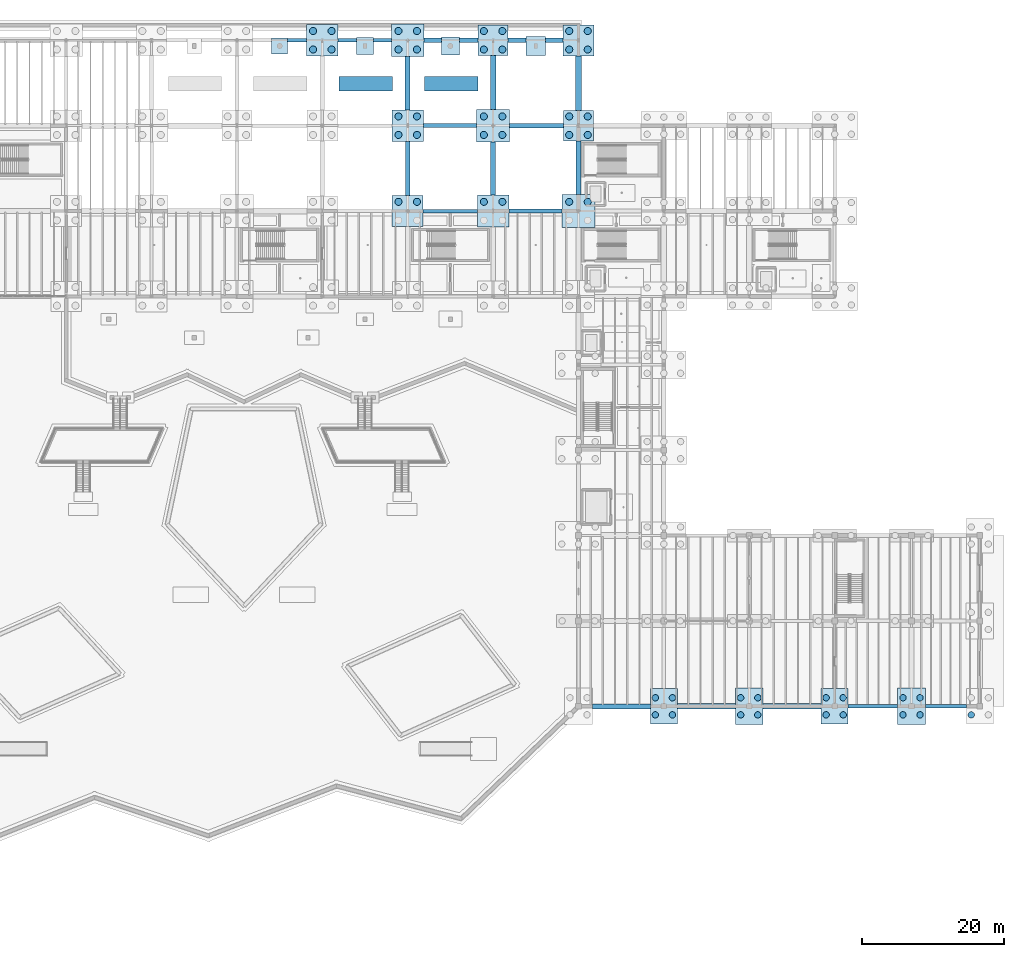
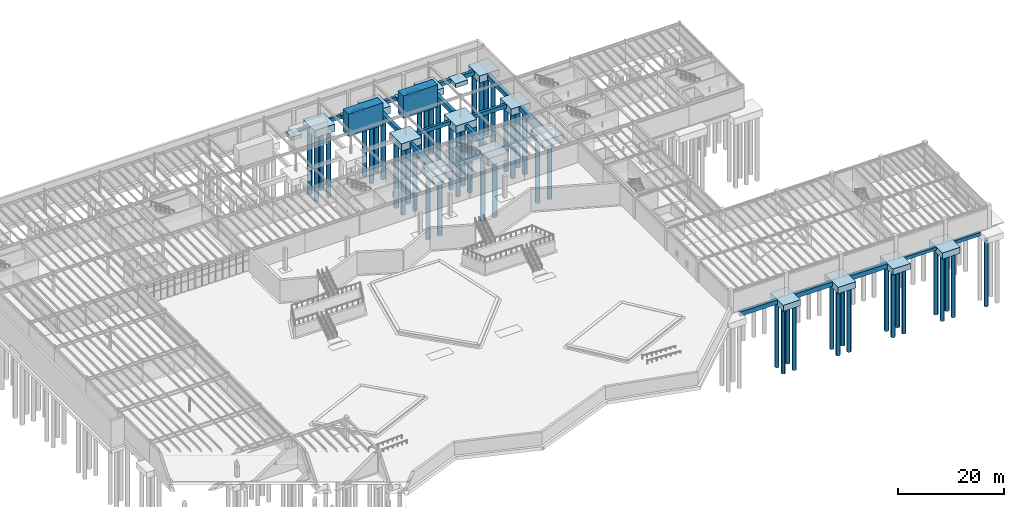
# One storey, part 7 of 67: 51 piles, 42 footings.
"""IFC4 building model written with IfcOpenShell, lengths in metres."""

from ifc_helpers import new_model, si_unit, direction, frame, origin, origin_2d, place, context, subcontext, project, spatial, polyline, rectangle, circle, outline, extrude, material, material_profile, profile_set, type_object, element, save


model = new_model("IFC4")

# Units and contexts
model_context = context("Model", 3, precision=1e-05, world=origin(), true_north=direction((0.0, 1.0)))
body_context = subcontext(model_context, "Body", "Model", "MODEL_VIEW")
ifc_project = project(units=[si_unit("LENGTHUNIT", "METRE"), si_unit("AREAUNIT", "SQUARE_METRE"), si_unit("VOLUMEUNIT", "CUBIC_METRE"), si_unit("PLANEANGLEUNIT", "RADIAN"), si_unit("MASSUNIT", "GRAM", prefix="KILO")], contexts=[model_context])

# Site, building, storey
site_placement = place(None, origin())
site = spatial("IfcSite", under=ifc_project, at=site_placement, CompositionType="ELEMENT")
building_placement = place(site_placement, origin())
building = spatial("IfcBuilding", under=site, at=building_placement, Name="Zlatogorsky Bluff Art Gallery", CompositionType="ELEMENT")
storey_placement = place(building_placement, frame((0.0, 0.0, -5.39990234375)))
storey = spatial("IfcBuildingStorey", under=building, at=storey_placement, Name="B1", CompositionType="ELEMENT", Elevation=-5.39990234375)

# Piles
ifc_material = material(Name="Concrete C35/45", Category="concrete")
ifc_material_profile_1 = material_profile(ifc_material, circle(Radius=0.5, at=origin_2d()), Name="BORED PILE D1000")
ifc_profile_set_1 = profile_set([ifc_material_profile_1], Name="Concrete C35/45")
pile_type_1 = type_object("IfcPileType", Name="Bored Pile D1000 C35/45", PredefinedType="BORED", material=ifc_profile_set_1)
for number, where, z_axis, x_axis, name in (
    (1, (82.699951171875, 118.699951171875, -1.550048828125), (0.0, 0.0, -1.0), (1.0, 0.0, 0.0), "Bored pile PL-02 07.11.1"),
    (2, (82.699951171875, 121.300048828125, -1.550048828125), (0.0, 0.0, -1.0), (1.0, 0.0, 0.0), "Bored pile PL-02 07.11.2"),
    (3, (85.300048828125, 118.699951171875, -1.550048828125), (0.0, 0.0, -1.0), (1.0, 0.0, 0.0), "Bored pile PL-02 07.11.3"),
    (4, (85.300048828125, 121.300048828125, -1.550048828125), (0.0, 0.0, -1.0), (1.0, 0.0, 0.0), "Bored pile PL-02 07.11.4"),
):
    element("IfcPile", number, at=place(storey_placement, frame(where, z_axis=z_axis, x_axis=x_axis)), inside=storey, type_object=pile_type_1, Name=name, PredefinedType="BORED", context=body_context, shape_type="SweptSolid", body=[
        extrude(circle(Radius=0.5, at=origin_2d()), origin(), (0.0, 0.0, 1.0), 15.449951171875),
    ])
for number, where, z_axis, x_axis, name in (
    (5, (94.699951171875, 97.300048828125, -1.900146484375), (0.0, 0.0, -1.0), (1.0, 0.0, 0.0), "Bored pile PL-02 08.09.2"),
    (6, (97.300048828125, 97.300048828125, -1.900146484375), (0.0, 0.0, -1.0), (1.0, 0.0, 0.0), "Bored pile PL-02 08.09.4"),
):
    element("IfcPile", number, at=place(storey_placement, frame(where, z_axis=z_axis, x_axis=x_axis)), inside=storey, type_object=pile_type_1, Name=name, PredefinedType="BORED", context=body_context, shape_type="SweptSolid", body=[
        extrude(circle(Radius=0.5, at=origin_2d()), origin(), (0.0, 0.0, 1.0), 15.10009765625),
    ])
for number, where, z_axis, x_axis, name in (
    (7, (94.699951171875, 106.699951171875, -1.550048828125), (0.0, 0.0, -1.0), (1.0, 0.0, 0.0), "Bored pile PL-02 08.10.1"),
    (8, (94.699951171875, 109.300048828125, -1.550048828125), (0.0, 0.0, -1.0), (1.0, 0.0, 0.0), "Bored pile PL-02 08.10.2"),
    (9, (97.300048828125, 106.699951171875, -1.550048828125), (0.0, 0.0, -1.0), (1.0, 0.0, 0.0), "Bored pile PL-02 08.10.3"),
    (10, (97.300048828125, 109.300048828125, -1.550048828125), (0.0, 0.0, -1.0), (1.0, 0.0, 0.0), "Bored pile PL-02 08.10.4"),
):
    element("IfcPile", number, at=place(storey_placement, frame(where, z_axis=z_axis, x_axis=x_axis)), inside=storey, type_object=pile_type_1, Name=name, PredefinedType="BORED", context=body_context, shape_type="SweptSolid", body=[
        extrude(circle(Radius=0.5, at=origin_2d()), origin(), (0.0, 0.0, 1.0), 15.449951171875),
    ])
for number, where, z_axis, x_axis, name in (
    (11, (94.699951171875, 118.699951171875, -1.60009765625), (0.0, 0.0, -1.0), (1.0, 0.0, 0.0), "Bored pile PL-02 08.11.1"),
    (12, (94.699951171875, 121.300048828125, -1.60009765625), (0.0, 0.0, -1.0), (1.0, 0.0, 0.0), "Bored pile PL-02 08.11.2"),
    (13, (97.300048828125, 118.699951171875, -1.60009765625), (0.0, 0.0, -1.0), (1.0, 0.0, 0.0), "Bored pile PL-02 08.11.3"),
    (14, (97.300048828125, 121.300048828125, -1.60009765625), (0.0, 0.0, -1.0), (1.0, 0.0, 0.0), "Bored pile PL-02 08.11.4"),
):
    element("IfcPile", number, at=place(storey_placement, frame(where, z_axis=z_axis, x_axis=x_axis)), inside=storey, type_object=pile_type_1, Name=name, PredefinedType="BORED", context=body_context, shape_type="SweptSolid", body=[
        extrude(circle(Radius=0.5, at=origin_2d()), origin(), (0.0, 0.0, 1.0), 15.39990234375),
    ])
for number, where, z_axis, x_axis, name in (
    (15, (106.699951171875, 97.300048828125, -1.9501953125), (0.0, 0.0, -1.0), (1.0, 0.0, 0.0), "Bored pile PL-02 09.09.2"),
    (16, (109.300048828125, 97.300048828125, -1.9501953125), (0.0, 0.0, -1.0), (1.0, 0.0, 0.0), "Bored pile PL-02 09.09.4"),
):
    element("IfcPile", number, at=place(storey_placement, frame(where, z_axis=z_axis, x_axis=x_axis)), inside=storey, type_object=pile_type_1, Name=name, PredefinedType="BORED", context=body_context, shape_type="SweptSolid", body=[
        extrude(circle(Radius=0.5, at=origin_2d()), origin(), (0.0, 0.0, 1.0), 15.050048828125),
    ])
for number, where, z_axis, x_axis, name in (
    (17, (106.699951171875, 106.699951171875, -1.60009765625), (0.0, 0.0, -1.0), (1.0, 0.0, 0.0), "Bored pile PL-02 09.10.1"),
    (18, (106.699951171875, 109.300048828125, -1.60009765625), (0.0, 0.0, -1.0), (1.0, 0.0, 0.0), "Bored pile PL-02 09.10.2"),
    (19, (109.300048828125, 106.699951171875, -1.60009765625), (0.0, 0.0, -1.0), (1.0, 0.0, 0.0), "Bored pile PL-02 09.10.3"),
    (20, (109.300048828125, 109.300048828125, -1.60009765625), (0.0, 0.0, -1.0), (1.0, 0.0, 0.0), "Bored pile PL-02 09.10.4"),
):
    element("IfcPile", number, at=place(storey_placement, frame(where, z_axis=z_axis, x_axis=x_axis)), inside=storey, type_object=pile_type_1, Name=name, PredefinedType="BORED", context=body_context, shape_type="SweptSolid", body=[
        extrude(circle(Radius=0.5, at=origin_2d()), origin(), (0.0, 0.0, 1.0), 15.39990234375),
    ])
for number, where, z_axis, x_axis, name in (
    (21, (106.699951171875, 118.699951171875, -1.4501953125), (0.0, 0.0, -1.0), (1.0, 0.0, 0.0), "Bored pile PL-02 09.11.1"),
    (22, (106.699951171875, 121.300048828125, -1.4501953125), (0.0, 0.0, -1.0), (1.0, 0.0, 0.0), "Bored pile PL-02 09.11.2"),
    (23, (109.300048828125, 118.699951171875, -1.4501953125), (0.0, 0.0, -1.0), (1.0, 0.0, 0.0), "Bored pile PL-02 09.11.3"),
    (24, (109.300048828125, 121.300048828125, -1.4501953125), (0.0, 0.0, -1.0), (1.0, 0.0, 0.0), "Bored pile PL-02 09.11.4"),
):
    element("IfcPile", number, at=place(storey_placement, frame(where, z_axis=z_axis, x_axis=x_axis)), inside=storey, type_object=pile_type_1, Name=name, PredefinedType="BORED", context=body_context, shape_type="SweptSolid", body=[
        extrude(circle(Radius=0.5, at=origin_2d()), origin(), (0.0, 0.0, 1.0), 15.550048828125),
    ])
for number, where, z_axis, x_axis, name in (
    (25, (118.699951171875, 97.300048828125, -2.0), (0.0, 0.0, -1.0), (1.0, 0.0, 0.0), "Bored pile PL-02 10.09.2"),
    (26, (121.300048828125, 97.300048828125, -2.0), (0.0, 0.0, -1.0), (1.0, 0.0, 0.0), "Bored pile PL-02 10.09.4"),
):
    element("IfcPile", number, at=place(storey_placement, frame(where, z_axis=z_axis, x_axis=x_axis)), inside=storey, type_object=pile_type_1, Name=name, PredefinedType="BORED", context=body_context, shape_type="SweptSolid", body=[
        extrude(circle(Radius=0.5, at=origin_2d()), origin(), (0.0, 0.0, 1.0), 15.0),
    ])
for number, where, z_axis, x_axis, name in (
    (27, (118.699951171875, 106.699951171875, -1.85009765625), (0.0, 0.0, -1.0), (1.0, 0.0, 0.0), "Bored pile PL-02 10.10.1"),
    (28, (118.699951171875, 109.300048828125, -1.85009765625), (0.0, 0.0, -1.0), (1.0, 0.0, 0.0), "Bored pile PL-02 10.10.2"),
    (29, (121.300048828125, 106.699951171875, -1.85009765625), (0.0, 0.0, -1.0), (1.0, 0.0, 0.0), "Bored pile PL-02 10.10.3"),
    (30, (121.300048828125, 109.300048828125, -1.85009765625), (0.0, 0.0, -1.0), (1.0, 0.0, 0.0), "Bored pile PL-02 10.10.4"),
):
    element("IfcPile", number, at=place(storey_placement, frame(where, z_axis=z_axis, x_axis=x_axis)), inside=storey, type_object=pile_type_1, Name=name, PredefinedType="BORED", context=body_context, shape_type="SweptSolid", body=[
        extrude(circle(Radius=0.5, at=origin_2d()), origin(), (0.0, 0.0, 1.0), 15.14990234375),
    ])
for number, where, z_axis, x_axis, name in (
    (31, (118.699951171875, 118.699951171875, -1.5), (0.0, 0.0, -1.0), (1.0, 0.0, 0.0), "Bored pile PL-02 10.11.1"),
    (32, (118.699951171875, 121.300048828125, -1.5), (0.0, 0.0, -1.0), (1.0, 0.0, 0.0), "Bored pile PL-02 10.11.2"),
    (33, (121.300048828125, 118.699951171875, -1.5), (0.0, 0.0, -1.0), (1.0, 0.0, 0.0), "Bored pile PL-02 10.11.3"),
    (34, (121.300048828125, 121.300048828125, -1.5), (0.0, 0.0, -1.0), (1.0, 0.0, 0.0), "Bored pile PL-02 10.11.4"),
):
    element("IfcPile", number, at=place(storey_placement, frame(where, z_axis=z_axis, x_axis=x_axis)), inside=storey, type_object=pile_type_1, Name=name, PredefinedType="BORED", context=body_context, shape_type="SweptSolid", body=[
        extrude(circle(Radius=0.5, at=origin_2d()), origin(), (0.0, 0.0, 1.0), 15.5),
    ])
ifc_material_profile_2 = material_profile(ifc_material, circle(Radius=0.449951171875, at=origin_2d()), Name="BORED PILE D900")
ifc_profile_set_2 = profile_set([ifc_material_profile_2], Name="Concrete C35/45")
pile_type_2 = type_object("IfcPileType", Name="Bored Pile D900 C35/45", PredefinedType="BORED", material=ifc_profile_set_2)
for number, where, z_axis, x_axis, name in (
    (35, (130.800048828125, 25.199951171875, -1.68017578125), (0.0, 0.0, -1.0), (1.0, 0.0, 0.0), "Bored pile PL-01 11.03.1"),
    (36, (130.800048828125, 27.60009765625, -1.68017578125), (0.0, 0.0, -1.0), (1.0, 0.0, 0.0), "Bored pile PL-01 11.03.2"),
    (37, (133.199951171875, 25.199951171875, -1.68017578125), (0.0, 0.0, -1.0), (1.0, 0.0, 0.0), "Bored pile PL-01 11.03.3"),
    (38, (133.199951171875, 27.60009765625, -1.68017578125), (0.0, 0.0, -1.0), (1.0, 0.0, 0.0), "Bored pile PL-01 11.03.4"),
):
    element("IfcPile", number, at=place(storey_placement, frame(where, z_axis=z_axis, x_axis=x_axis)), inside=storey, type_object=pile_type_2, Name=name, PredefinedType="BORED", context=body_context, shape_type="SweptSolid", body=[
        extrude(circle(Radius=0.449951171875, at=origin_2d()), origin(), (0.0, 0.0, 1.0), 15.320068359375),
    ])
for number, where, z_axis, x_axis, name in (
    (39, (142.800048828125, 25.199951171875, -1.739990234375), (0.0, 0.0, -1.0), (1.0, 0.0, 0.0), "Bored pile PL-01 12.03.1"),
    (40, (142.800048828125, 27.60009765625, -1.739990234375), (0.0, 0.0, -1.0), (1.0, 0.0, 0.0), "Bored pile PL-01 12.03.2"),
    (41, (145.199951171875, 25.199951171875, -1.739990234375), (0.0, 0.0, -1.0), (1.0, 0.0, 0.0), "Bored pile PL-01 12.03.3"),
    (42, (145.199951171875, 27.60009765625, -1.739990234375), (0.0, 0.0, -1.0), (1.0, 0.0, 0.0), "Bored pile PL-01 12.03.4"),
):
    element("IfcPile", number, at=place(storey_placement, frame(where, z_axis=z_axis, x_axis=x_axis)), inside=storey, type_object=pile_type_2, Name=name, PredefinedType="BORED", context=body_context, shape_type="SweptSolid", body=[
        extrude(circle(Radius=0.449951171875, at=origin_2d()), origin(), (0.0, 0.0, 1.0), 15.260009765625),
    ])
for number, where, z_axis, x_axis, name in (
    (43, (154.800048828125, 25.199951171875, -1.68017578125), (0.0, 0.0, -1.0), (1.0, 0.0, 0.0), "Bored pile PL-01 13.03.1"),
    (44, (154.800048828125, 27.60009765625, -1.68017578125), (0.0, 0.0, -1.0), (1.0, 0.0, 0.0), "Bored pile PL-01 13.03.2"),
    (45, (157.199951171875, 25.199951171875, -1.68017578125), (0.0, 0.0, -1.0), (1.0, 0.0, 0.0), "Bored pile PL-01 13.03.3"),
    (46, (157.199951171875, 27.60009765625, -1.68017578125), (0.0, 0.0, -1.0), (1.0, 0.0, 0.0), "Bored pile PL-01 13.03.4"),
):
    element("IfcPile", number, at=place(storey_placement, frame(where, z_axis=z_axis, x_axis=x_axis)), inside=storey, type_object=pile_type_2, Name=name, PredefinedType="BORED", context=body_context, shape_type="SweptSolid", body=[
        extrude(circle(Radius=0.449951171875, at=origin_2d()), origin(), (0.0, 0.0, 1.0), 15.320068359375),
    ])
for number, where, z_axis, x_axis, name in (
    (47, (165.60009765625, 25.199951171875, -1.739990234375), (0.0, 0.0, -1.0), (1.0, 0.0, 0.0), "Bored pile PL-01 14.03.1"),
    (48, (165.60009765625, 27.60009765625, -1.739990234375), (0.0, 0.0, -1.0), (1.0, 0.0, 0.0), "Bored pile PL-01 14.03.2"),
    (49, (168.0, 25.199951171875, -1.739990234375), (0.0, 0.0, -1.0), (1.0, 0.0, 0.0), "Bored pile PL-01 14.03.3"),
    (50, (168.0, 27.60009765625, -1.739990234375), (0.0, 0.0, -1.0), (1.0, 0.0, 0.0), "Bored pile PL-01 14.03.4"),
):
    element("IfcPile", number, at=place(storey_placement, frame(where, z_axis=z_axis, x_axis=x_axis)), inside=storey, type_object=pile_type_2, Name=name, PredefinedType="BORED", context=body_context, shape_type="SweptSolid", body=[
        extrude(circle(Radius=0.449951171875, at=origin_2d()), origin(), (0.0, 0.0, 1.0), 15.260009765625),
    ])
pile_placement = place(storey_placement, frame((175.199951171875, 25.199951171875, -1.68017578125), z_axis=(0.0, 0.0, -1.0), x_axis=(1.0, 0.0, 0.0)))
element("IfcPile", 51, at=pile_placement, inside=storey, type_object=pile_type_2, Name="Bored pile PL-01 15.03.1", PredefinedType="BORED", context=body_context, shape_type="SweptSolid", body=[
    extrude(circle(Radius=0.449951171875, at=origin_2d()), origin(), (0.0, 0.0, 1.0), 15.320068359375),
])

# Footings
footing_type_1 = type_object("IfcFootingType", Name="Foundation FB-01 450x750", PredefinedType="FOOTING_BEAM", material=ifc_material)
footing_1_placement = place(storey_placement, frame((0.0, 0.0, -1.150146484375)))
element("IfcFooting", 52, at=footing_1_placement, inside=storey, type_object=footing_type_1, Name="Ground tie beam FB-01 P-Q/4", PredefinedType="FOOTING_BEAM", context=body_context, shape_type="SweptSolid", body=[
    extrude(outline(polyline([(157.89990234375, 26.175048828125), (164.85009765625, 26.175048828125), (164.85009765625, 26.625), (157.89990234375, 26.625), (157.89990234375, 26.175048828125)])), origin(), (0.0, 0.0, 1.0), 0.75),
])
footing_type_2 = type_object("IfcFootingType", Name="Foundation FB-02 500x800", PredefinedType="FOOTING_BEAM", material=ifc_material)
footing_2_placement = place(storey_placement, frame((0.0, 0.0, -0.800048828125)))
element("IfcFooting", 53, at=footing_2_placement, inside=storey, type_object=footing_type_2, Name="Ground tie beam FB-02 G-H/12-2", PredefinedType="FOOTING_BEAM", context=body_context, shape_type="SweptSolid", body=[
    extrude(outline(polyline([(79.12548828125, 119.75), (81.77490234375, 119.75), (81.77490234375, 120.25), (79.12548828125, 120.25), (79.12548828125, 119.75)])), origin(), (0.0, 0.0, 1.0), 0.800048828125),
])
footing_3_placement = place(storey_placement, frame((0.0, 0.0, -1.2001953125)))
element("IfcFooting", 54, at=footing_3_placement, inside=storey, type_object=footing_type_2, Name="Ground tie beam FB-02 J-K/10", PredefinedType="FOOTING_BEAM", context=body_context, shape_type="SweptSolid", body=[
    extrude(outline(polyline([(98.175048828125, 95.75), (105.77490234375, 95.75), (105.77490234375, 96.25), (98.175048828125, 96.25), (98.175048828125, 95.75)])), origin(), (0.0, 0.0, 1.0), 0.800048828125),
])
footing_4_placement = place(storey_placement, frame((0.0, 0.0, -1.2001953125)))
element("IfcFooting", 55, at=footing_4_placement, inside=storey, type_object=footing_type_2, Name="Ground tie beam FB-02 Q-R/4", PredefinedType="FOOTING_BEAM", context=body_context, shape_type="SweptSolid", body=[
    extrude(outline(polyline([(168.75, 26.14990234375), (174.5, 26.14990234375), (174.5, 26.64990234375), (168.75, 26.64990234375), (168.75, 26.14990234375)])), origin(), (0.0, 0.0, 1.0), 0.800048828125),
])
footing_type_3 = type_object("IfcFootingType", Name="Foundation FB-03 550x850", PredefinedType="FOOTING_BEAM", material=ifc_material)
footing_5_placement = place(storey_placement, frame((0.0, 0.0, -0.85009765625)))
element("IfcFooting", 56, at=footing_5_placement, inside=storey, type_object=footing_type_3, Name="Ground tie beam FB-03 H-J/12-1", PredefinedType="FOOTING_BEAM", context=body_context, shape_type="SweptSolid", body=[
    extrude(outline(polyline([(86.22509765625, 119.72509765625), (88.799560546875, 119.72509765625), (88.799560546875, 120.27490234375), (86.22509765625, 120.27490234375), (86.22509765625, 119.72509765625)])), origin(), (0.0, 0.0, 1.0), 0.85009765625),
])
footing_6_placement = place(storey_placement, frame((0.0, 0.0, -0.85009765625)))
element("IfcFooting", 57, at=footing_6_placement, inside=storey, type_object=footing_type_3, Name="Ground tie beam FB-03 H-J/12-2", PredefinedType="FOOTING_BEAM", context=body_context, shape_type="SweptSolid", body=[
    extrude(outline(polyline([(91.200439453125, 119.72509765625), (93.699951171875, 119.72509765625), (93.699951171875, 120.27490234375), (91.200439453125, 120.27490234375), (91.200439453125, 119.72509765625)])), origin(), (0.0, 0.0, 1.0), 0.85009765625),
])
footing_7_placement = place(storey_placement, frame((0.0, 0.0, -0.85009765625)))
element("IfcFooting", 58, at=footing_7_placement, inside=storey, type_object=footing_type_3, Name="Ground tie beam FB-03 J-K/11", PredefinedType="FOOTING_BEAM", context=body_context, shape_type="SweptSolid", body=[
    extrude(outline(polyline([(98.22509765625, 107.72509765625), (105.699951171875, 107.72509765625), (105.699951171875, 108.27490234375), (98.22509765625, 108.27490234375), (98.22509765625, 107.72509765625)])), origin(), (0.0, 0.0, 1.0), 0.85009765625),
])
footing_8_placement = place(storey_placement, frame((0.0, 0.0, -1.25)))
element("IfcFooting", 59, at=footing_8_placement, inside=storey, type_object=footing_type_3, Name="Ground tie beam FB-03 K-L/10", PredefinedType="FOOTING_BEAM", context=body_context, shape_type="SweptSolid", body=[
    extrude(outline(polyline([(110.22509765625, 95.72509765625), (117.699951171875, 95.72509765625), (117.699951171875, 96.27490234375), (110.22509765625, 96.27490234375), (110.22509765625, 95.72509765625)])), origin(), (0.0, 0.0, 1.0), 0.849853515625),
])
footing_type_4 = type_object("IfcFootingType", Name="Foundation FB-04 600x900", PredefinedType="FOOTING_BEAM", material=ifc_material)
footing_9_placement = place(storey_placement, frame((0.0, 0.0, -0.900146484375)))
element("IfcFooting", 60, at=footing_9_placement, inside=storey, type_object=footing_type_4, Name="Ground tie beam FB-04 J-K/12-1", PredefinedType="FOOTING_BEAM", context=body_context, shape_type="SweptSolid", body=[
    extrude(outline(polyline([(98.300048828125, 119.699951171875), (100.724609375, 119.699951171875), (100.724609375, 120.300048828125), (98.300048828125, 120.300048828125), (98.300048828125, 119.699951171875)])), origin(), (0.0, 0.0, 1.0), 0.900146484375),
])
footing_10_placement = place(storey_placement, frame((0.0, 0.0, -0.900146484375)))
element("IfcFooting", 61, at=footing_10_placement, inside=storey, type_object=footing_type_4, Name="Ground tie beam FB-04 J-K/12-2", PredefinedType="FOOTING_BEAM", context=body_context, shape_type="SweptSolid", body=[
    extrude(outline(polyline([(103.275390625, 119.699951171875), (105.875, 119.699951171875), (105.875, 120.300048828125), (103.275390625, 120.300048828125), (103.275390625, 119.699951171875)])), origin(), (0.0, 0.0, 1.0), 0.900146484375),
])
footing_11_placement = place(storey_placement, frame((0.0, 0.0, -1.300048828125)))
element("IfcFooting", 62, at=footing_11_placement, inside=storey, type_object=footing_type_4, Name="Ground tie beam FB-04 K-L/11", PredefinedType="FOOTING_BEAM", context=body_context, shape_type="SweptSolid", body=[
    extrude(outline(polyline([(110.300048828125, 107.699951171875), (117.875, 107.699951171875), (117.875, 108.300048828125), (110.300048828125, 108.300048828125), (110.300048828125, 107.699951171875)])), origin(), (0.0, 0.0, 1.0), 0.89990234375),
])
footing_type_5 = type_object("IfcFootingType", Name="Foundation FB-05 650x950", PredefinedType="FOOTING_BEAM", material=ifc_material)
footing_12_placement = place(storey_placement, frame((0.0, 0.0, -1.35009765625)))
element("IfcFooting", 63, at=footing_12_placement, inside=storey, type_object=footing_type_5, Name="Ground tie beam FB-05 J/10-11", PredefinedType="FOOTING_BEAM", context=body_context, shape_type="SweptSolid", body=[
    extrude(outline(polyline([(95.675048828125, 98.175048828125), (96.324951171875, 98.175048828125), (96.324951171875, 105.77490234375), (95.675048828125, 105.77490234375), (95.675048828125, 98.175048828125)])), origin(), (0.0, 0.0, 1.0), 0.949951171875),
])
footing_13_placement = place(storey_placement, frame((0.0, 0.0, -0.9501953125)))
element("IfcFooting", 64, at=footing_13_placement, inside=storey, type_object=footing_type_5, Name="Ground tie beam FB-05 K-L/12-1", PredefinedType="FOOTING_BEAM", context=body_context, shape_type="SweptSolid", body=[
    extrude(outline(polyline([(110.125, 119.675048828125), (112.649658203125, 119.675048828125), (112.649658203125, 120.324951171875), (110.125, 120.324951171875), (110.125, 119.675048828125)])), origin(), (0.0, 0.0, 1.0), 0.9501953125),
])
footing_14_placement = place(storey_placement, frame((0.0, 0.0, -0.9501953125)))
element("IfcFooting", 65, at=footing_14_placement, inside=storey, type_object=footing_type_5, Name="Ground tie beam FB-05 K-L/12-2", PredefinedType="FOOTING_BEAM", context=body_context, shape_type="SweptSolid", body=[
    extrude(outline(polyline([(115.350341796875, 119.675048828125), (117.824951171875, 119.675048828125), (117.824951171875, 120.324951171875), (115.350341796875, 120.324951171875), (115.350341796875, 119.675048828125)])), origin(), (0.0, 0.0, 1.0), 0.9501953125),
])
footing_type_6 = type_object("IfcFootingType", Name="Foundation FB-06 700x1000", PredefinedType="FOOTING_BEAM", material=ifc_material)
footing_15_placement = place(storey_placement, frame((0.0, 0.0, -1.0)))
element("IfcFooting", 66, at=footing_15_placement, inside=storey, type_object=footing_type_6, Name="Ground tie beam FB-06 J/11-12", PredefinedType="FOOTING_BEAM", context=body_context, shape_type="SweptSolid", body=[
    extrude(outline(polyline([(95.64990234375, 110.22509765625), (96.35009765625, 110.22509765625), (96.35009765625, 117.699951171875), (95.64990234375, 117.699951171875), (95.64990234375, 110.22509765625)])), origin(), (0.0, 0.0, 1.0), 1.0),
])
footing_16_placement = place(storey_placement, frame((0.0, 0.0, -1.400146484375)))
element("IfcFooting", 67, at=footing_16_placement, inside=storey, type_object=footing_type_6, Name="Ground tie beam FB-06 K/10-11", PredefinedType="FOOTING_BEAM", context=body_context, shape_type="SweptSolid", body=[
    extrude(outline(polyline([(107.64990234375, 98.22509765625), (108.35009765625, 98.22509765625), (108.35009765625, 105.699951171875), (107.64990234375, 105.699951171875), (107.64990234375, 98.22509765625)])), origin(), (0.0, 0.0, 1.0), 1.0),
])
footing_17_placement = place(storey_placement, frame((0.0, 0.0, -1.400146484375)))
element("IfcFooting", 68, at=footing_17_placement, inside=storey, type_object=footing_type_6, Name="Ground tie beam FB-06 L-M/4", PredefinedType="FOOTING_BEAM", context=body_context, shape_type="SweptSolid", body=[
    extrude(outline(polyline([(121.949951171875, 26.050048828125), (130.10009765625, 26.050048828125), (130.10009765625, 26.75), (121.949951171875, 26.75), (121.949951171875, 26.050048828125)])), origin(), (0.0, 0.0, 1.0), 1.0),
])
footing_type_7 = type_object("IfcFootingType", Name="Foundation FB-07 750x1050", PredefinedType="FOOTING_BEAM", material=ifc_material)
footing_18_placement = place(storey_placement, frame((0.0, 0.0, -1.050048828125)))
element("IfcFooting", 69, at=footing_18_placement, inside=storey, type_object=footing_type_7, Name="Ground tie beam FB-07 K/11-12", PredefinedType="FOOTING_BEAM", context=body_context, shape_type="SweptSolid", body=[
    extrude(outline(polyline([(107.625, 110.300048828125), (108.375, 110.300048828125), (108.375, 117.875), (107.625, 117.875), (107.625, 110.300048828125)])), origin(), (0.0, 0.0, 1.0), 1.050048828125),
])
footing_19_placement = place(storey_placement, frame((0.0, 0.0, -1.4501953125)))
element("IfcFooting", 70, at=footing_19_placement, inside=storey, type_object=footing_type_7, Name="Ground tie beam FB-07 L/10-11", PredefinedType="FOOTING_BEAM", context=body_context, shape_type="SweptSolid", body=[
    extrude(outline(polyline([(119.625, 98.300048828125), (120.375, 98.300048828125), (120.375, 105.875), (119.625, 105.875), (119.625, 98.300048828125)])), origin(), (0.0, 0.0, 1.0), 1.050048828125),
])
footing_20_placement = place(storey_placement, frame((0.0, 0.0, -1.4501953125)))
element("IfcFooting", 71, at=footing_20_placement, inside=storey, type_object=footing_type_7, Name="Ground tie beam FB-07 M-N/4", PredefinedType="FOOTING_BEAM", context=body_context, shape_type="SweptSolid", body=[
    extrude(outline(polyline([(133.89990234375, 26.02490234375), (142.050048828125, 26.02490234375), (142.050048828125, 26.77490234375), (133.89990234375, 26.77490234375), (133.89990234375, 26.02490234375)])), origin(), (0.0, 0.0, 1.0), 1.050048828125),
])
footing_type_8 = type_object("IfcFootingType", Name="Foundation FB-08 800x1100", PredefinedType="FOOTING_BEAM", material=ifc_material)
footing_21_placement = place(storey_placement, frame((0.0, 0.0, -1.5)))
element("IfcFooting", 72, at=footing_21_placement, inside=storey, type_object=footing_type_8, Name="Ground tie beam FB-08 L/11-12", PredefinedType="FOOTING_BEAM", context=body_context, shape_type="SweptSolid", body=[
    extrude(outline(polyline([(119.60009765625, 110.125), (120.39990234375, 110.125), (120.39990234375, 117.824951171875), (119.60009765625, 117.824951171875), (119.60009765625, 110.125)])), origin(), (0.0, 0.0, 1.0), 1.099853515625),
])
footing_22_placement = place(storey_placement, frame((0.0, 0.0, -1.5)))
element("IfcFooting", 73, at=footing_22_placement, inside=storey, type_object=footing_type_8, Name="Ground tie beam FB-08 N-P/4", PredefinedType="FOOTING_BEAM", context=body_context, shape_type="SweptSolid", body=[
    extrude(outline(polyline([(145.949951171875, 26.0), (154.10009765625, 26.0), (154.10009765625, 26.800048828125), (145.949951171875, 26.800048828125), (145.949951171875, 26.0)])), origin(), (0.0, 0.0, 1.0), 1.099853515625),
])
footing_type_9 = type_object("IfcFootingType", Name="Pad Footing PF-02 2250x2250x800", PredefinedType="PAD_FOOTING", material=ifc_material)
footing_23_placement = place(storey_placement, frame((78.0, 119.199951171875, -0.80029296875), z_axis=(0.0, 0.0, 1.0), x_axis=(1.0, 0.0, 0.0)))
element("IfcFooting", 74, at=footing_23_placement, inside=storey, type_object=footing_type_9, Name="Pad footing PF-02", PredefinedType="PAD_FOOTING", context=body_context, shape_type="SweptSolid", body=[
    extrude(rectangle(XDim=2.25, YDim=2.25, at=origin_2d()), origin(), (0.0, 0.0, 1.0), 0.800048828125),
])
footing_type_10 = type_object("IfcFootingType", Name="Pad Footing PF-03 2400x2400x850", PredefinedType="PAD_FOOTING", material=ifc_material)
footing_24_placement = place(storey_placement, frame((90.0, 119.199951171875, -0.85009765625), z_axis=(0.0, 0.0, 1.0), x_axis=(1.0, 0.0, 0.0)))
element("IfcFooting", 75, at=footing_24_placement, inside=storey, type_object=footing_type_10, Name="Pad footing PF-03", PredefinedType="PAD_FOOTING", context=body_context, shape_type="SweptSolid", body=[
    extrude(rectangle(XDim=2.39990234375, YDim=2.39990234375, at=origin_2d()), origin(), (0.0, 0.0, 1.0), 0.85009765625),
])
footing_type_11 = type_object("IfcFootingType", Name="Pad Footing PF-04 2550x2550x900", PredefinedType="PAD_FOOTING", material=ifc_material)
footing_25_placement = place(storey_placement, frame((102.0, 119.199951171875, -0.900146484375), z_axis=(0.0, 0.0, 1.0), x_axis=(1.0, 0.0, 0.0)))
element("IfcFooting", 76, at=footing_25_placement, inside=storey, type_object=footing_type_11, Name="Pad footing PF-04", PredefinedType="PAD_FOOTING", context=body_context, shape_type="SweptSolid", body=[
    extrude(rectangle(XDim=2.550048828125, YDim=2.550048828125, at=origin_2d()), origin(), (0.0, 0.0, 1.0), 0.89990234375),
])
footing_type_12 = type_object("IfcFootingType", Name="Pad Footing PF-05 2700x2700x950", PredefinedType="PAD_FOOTING", material=ifc_material)
footing_26_placement = place(storey_placement, frame((114.0, 119.199951171875, -0.9501953125), z_axis=(0.0, 0.0, 1.0), x_axis=(1.0, 0.0, 0.0)))
element("IfcFooting", 77, at=footing_26_placement, inside=storey, type_object=footing_type_12, Name="Pad footing PF-05", PredefinedType="PAD_FOOTING", context=body_context, shape_type="SweptSolid", body=[
    extrude(rectangle(XDim=2.699951171875, YDim=2.699951171875, at=origin_2d()), origin(), (0.0, 0.0, 1.0), 0.949951171875),
])
footing_type_13 = type_object("IfcFootingType", Name="Pad Footing PF-11 2500x1800x800", PredefinedType="PAD_FOOTING", material=ifc_material)
footing_27_placement = place(storey_placement, origin())
element("IfcFooting", 78, at=footing_27_placement, inside=storey, type_object=footing_type_13, Name="Forecourt ramp foundation plinth 3", PredefinedType="PAD_FOOTING", context=body_context, shape_type="SweptSolid", body=[
    extrude(outline(polyline([(86.35009765625, 112.8798828125), (93.85009765625, 112.8798828125), (93.85009765625, 114.919921875), (86.35009765625, 114.919921875), (86.35009765625, 112.8798828125)])), origin(), (0.0, 0.0, 1.0), 5.219970703125),
])
footing_28_placement = place(storey_placement, origin())
element("IfcFooting", 79, at=footing_28_placement, inside=storey, type_object=footing_type_13, Name="Forecourt ramp foundation plinth 4", PredefinedType="PAD_FOOTING", context=body_context, shape_type="SweptSolid", body=[
    extrude(outline(polyline([(98.35009765625, 112.8798828125), (105.85009765625, 112.8798828125), (105.85009765625, 114.919921875), (98.35009765625, 114.919921875), (98.35009765625, 112.8798828125)])), origin(), (0.0, 0.0, 1.0), 5.219970703125),
])
footing_type_14 = type_object("IfcFootingType", Name="Pile Cap PC-05 4250x4250x1550", PredefinedType="PILE_CAP", material=ifc_material)
for number, where, z_axis, x_axis, name in (
    (80, (108.0, 120.0, -1.55029296875), (0.0, 0.0, 1.0), (1.0, 0.0, 0.0), "Pile cap PC-05 at K12"),
    (81, (120.0, 108.0, -1.9501953125), (0.0, 0.0, 1.0), (1.0, 0.0, 0.0), "Pile cap PC-05 at L11"),
):
    element("IfcFooting", number, at=place(storey_placement, frame(where, z_axis=z_axis, x_axis=x_axis)), inside=storey, type_object=footing_type_14, Name=name, PredefinedType="PILE_CAP", context=body_context, shape_type="SweptSolid", body=[
        extrude(rectangle(XDim=4.25, YDim=4.25, at=origin_2d()), origin(), (0.0, 0.0, 1.0), 1.550048828125),
    ])
footing_type_15 = type_object("IfcFootingType", Name="Pile Cap PC-06 4350x4350x1600", PredefinedType="PILE_CAP", material=ifc_material)
for number, where, z_axis, x_axis, name in (
    (82, (96.0, 96.0, -2.000244140625), (0.0, 0.0, 1.0), (1.0, 0.0, 0.0), "Pile cap PC-06 at J10"),
    (83, (120.0, 120.0, -1.60009765625), (0.0, 0.0, 1.0), (1.0, 0.0, 0.0), "Pile cap PC-06 at L12"),
):
    element("IfcFooting", number, at=place(storey_placement, frame(where, z_axis=z_axis, x_axis=x_axis)), inside=storey, type_object=footing_type_15, Name=name, PredefinedType="PILE_CAP", context=body_context, shape_type="SweptSolid", body=[
        extrude(rectangle(XDim=4.35009765625, YDim=4.35009765625, at=origin_2d()), origin(), (0.0, 0.0, 1.0), 1.60009765625),
    ])
footing_type_16 = type_object("IfcFootingType", Name="Pile Cap PC-07 4450x4450x1650", PredefinedType="PILE_CAP", material=ifc_material)
for number, where, z_axis, x_axis, name in (
    (84, (84.0, 120.0, -1.650146484375), (0.0, 0.0, 1.0), (1.0, 0.0, 0.0), "Pile cap PC-07 at H12"),
    (85, (96.0, 108.0, -1.650146484375), (0.0, 0.0, 1.0), (1.0, 0.0, 0.0), "Pile cap PC-07 at J11"),
    (86, (108.0, 96.0, -2.050048828125), (0.0, 0.0, 1.0), (1.0, 0.0, 0.0), "Pile cap PC-07 at K10"),
):
    element("IfcFooting", number, at=place(storey_placement, frame(where, z_axis=z_axis, x_axis=x_axis)), inside=storey, type_object=footing_type_16, Name=name, PredefinedType="PILE_CAP", context=body_context, shape_type="SweptSolid", body=[
        extrude(rectangle(XDim=4.449951171875, YDim=4.449951171875, at=origin_2d()), origin(), (0.0, 0.0, 1.0), 1.64990234375),
    ])
footing_type_17 = type_object("IfcFootingType", Name="Pile Cap PC-08 4600x4600x1700", PredefinedType="PILE_CAP", material=ifc_material)
for number, where, z_axis, x_axis, name in (
    (87, (96.0, 120.0, -1.7001953125), (0.0, 0.0, 1.0), (1.0, 0.0, 0.0), "Pile cap PC-08 at J12"),
    (88, (108.0, 108.0, -1.7001953125), (0.0, 0.0, 1.0), (1.0, 0.0, 0.0), "Pile cap PC-08 at K11"),
    (89, (120.0, 96.0, -2.10009765625), (0.0, 0.0, 1.0), (1.0, 0.0, 0.0), "Pile cap PC-08 at L10"),
):
    element("IfcFooting", number, at=place(storey_placement, frame(where, z_axis=z_axis, x_axis=x_axis)), inside=storey, type_object=footing_type_17, Name=name, PredefinedType="PILE_CAP", context=body_context, shape_type="SweptSolid", body=[
        extrude(rectangle(XDim=4.60009765625, YDim=4.60009765625, at=origin_2d()), origin(), (0.0, 0.0, 1.0), 1.699951171875),
    ])
footing_type_18 = type_object("IfcFootingType", Name="Pile Cap PC-12 3800x4950x1380", PredefinedType="PILE_CAP", material=ifc_material)
for number, where, z_axis, x_axis, name in (
    (90, (132.0, 26.39990234375, -1.780029296875), (0.0, 0.0, 1.0), (1.0, 0.0, 0.0), "Pile cap PC-12 at M4"),
    (91, (156.0, 26.39990234375, -1.780029296875), (0.0, 0.0, 1.0), (1.0, 0.0, 0.0), "Pile cap PC-12 at P4"),
):
    element("IfcFooting", number, at=place(storey_placement, frame(where, z_axis=z_axis, x_axis=x_axis)), inside=storey, type_object=footing_type_18, Name=name, PredefinedType="PILE_CAP", context=body_context, shape_type="SweptSolid", body=[
        extrude(rectangle(XDim=3.800048828125, YDim=4.949951171875, at=origin_2d()), origin(), (0.0, 0.0, 1.0), 1.3798828125),
    ])
footing_type_19 = type_object("IfcFootingType", Name="Pile Cap PC-13 3900x5100x1440", PredefinedType="PILE_CAP", material=ifc_material)
for number, where, z_axis, x_axis, name in (
    (92, (144.0, 26.39990234375, -1.840087890625), (0.0, 0.0, 1.0), (1.0, 0.0, 0.0), "Pile cap PC-13 at N4"),
    (93, (166.800048828125, 26.39990234375, -1.840087890625), (0.0, 0.0, 1.0), (1.0, 0.0, 0.0), "Pile cap PC-13 at Q4"),
):
    element("IfcFooting", number, at=place(storey_placement, frame(where, z_axis=z_axis, x_axis=x_axis)), inside=storey, type_object=footing_type_19, Name=name, PredefinedType="PILE_CAP", context=body_context, shape_type="SweptSolid", body=[
        extrude(rectangle(XDim=3.89990234375, YDim=5.10009765625, at=origin_2d()), origin(), (0.0, 0.0, 1.0), 1.43994140625),
    ])

save(model, "model.ifc")
